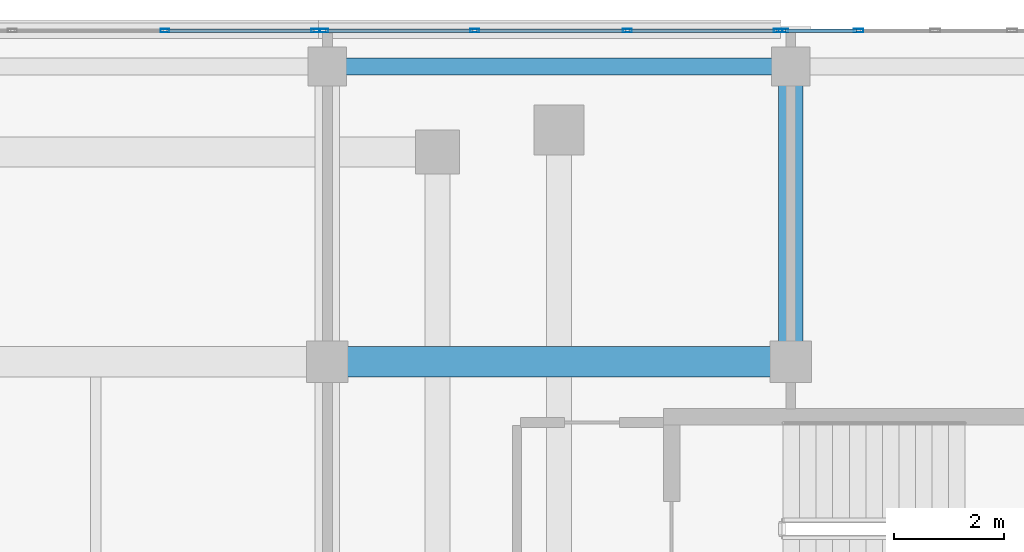
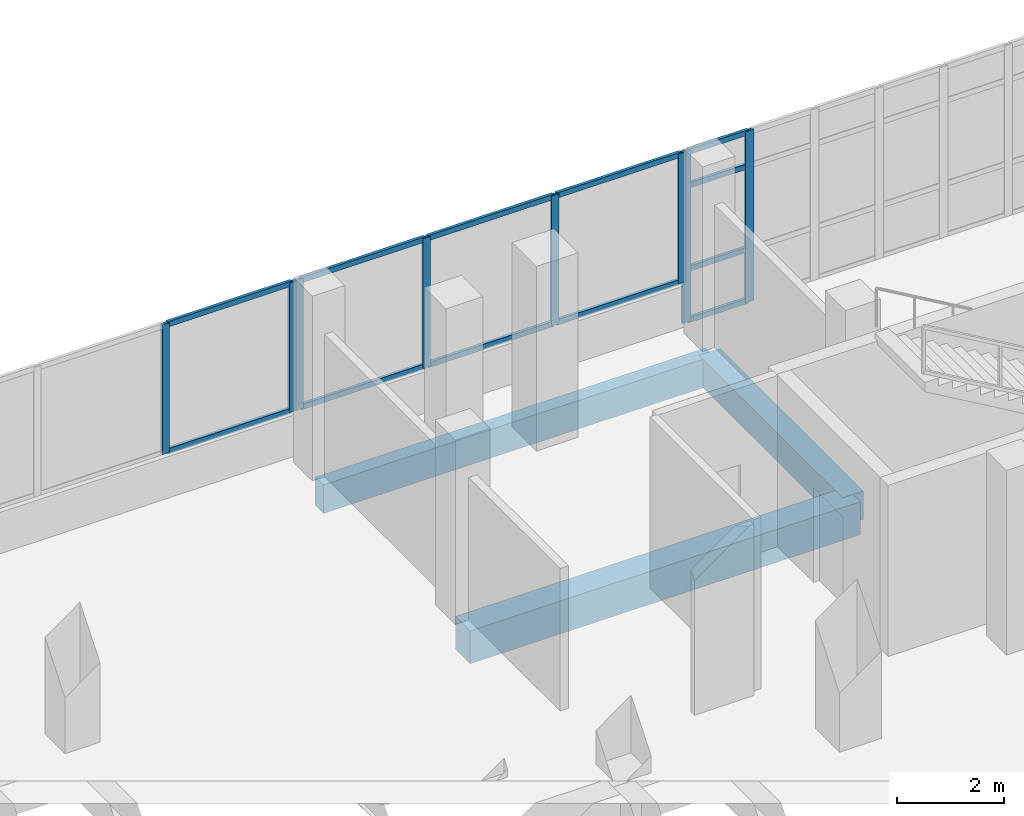
# One storey, part 110 of 184: 20 members, 3 beams, 3 elements without a shape of their own.
"""IFC4 building model written with IfcOpenShell, lengths in metres."""

from ifc_helpers import new_model, si_unit, direction, frame, origin, origin_2d, place, context, subcontext, project, spatial, rectangle, hollow_rectangle, extrude, material, material_profile, profile_set, type_object, element, aggregate, save


model = new_model("IFC4")

# Units and contexts
model_context = context("Model", 3, precision=1e-05, world=origin(), true_north=direction((0.0, 1.0)))
body_context = subcontext(model_context, "Body", "Model", "MODEL_VIEW")
ifc_project = project(units=[si_unit("LENGTHUNIT", "METRE"), si_unit("AREAUNIT", "SQUARE_METRE"), si_unit("VOLUMEUNIT", "CUBIC_METRE"), si_unit("PLANEANGLEUNIT", "RADIAN"), si_unit("MASSUNIT", "GRAM", prefix="KILO")], contexts=[model_context])

# Site, building, storey
site_placement = place(None, origin())
site = spatial("IfcSite", under=ifc_project, at=site_placement, CompositionType="ELEMENT")
building_placement = place(site_placement, origin())
building = spatial("IfcBuilding", under=site, at=building_placement, Name="Selatvlak General Hospital", CompositionType="ELEMENT")
storey_placement = place(building_placement, frame((0.0, 0.0, 15.0)))
storey = spatial("IfcBuildingStorey", under=building, at=storey_placement, Name="L03", CompositionType="ELEMENT", Elevation=15.0)

# Beams
ifc_material_1 = material(Name="Concrete C40/50", Category="concrete")
ifc_material_profile_1 = material_profile(ifc_material_1, rectangle(XDim=0.550048828125, YDim=0.75, at=origin_2d()), Name="RC-BM 550x750")
ifc_profile_set_1 = profile_set([ifc_material_profile_1], Name="Concrete C40/50")
beam_type_1 = type_object("IfcBeamType", Name="BM-G02", PredefinedType="BEAM", material=ifc_profile_set_1)
beam_1_placement = place(storey_placement, frame((81.60009765625, 114.0, -0.715087890625), z_axis=(1.0, 0.0, 0.0), x_axis=(0.0, 1.0, 0.0)))
element("IfcBeam", 1, at=beam_1_placement, inside=storey, type_object=beam_type_1, Name="Beam BMR-L03-1268", PredefinedType="BEAM", context=body_context, shape_type="SweptSolid", body=[
    extrude(rectangle(XDim=0.550048828125, YDim=0.75, at=origin_2d()), origin(), (0.0, 0.0, 1.0), 8.39990234375),
])
ifc_material_profile_2 = material_profile(ifc_material_1, rectangle(XDim=0.449951171875, YDim=0.64990234375, at=origin_2d()), Name="RC-BM 450x650")
ifc_profile_set_2 = profile_set([ifc_material_profile_2], Name="Concrete C40/50")
beam_type_2 = type_object("IfcBeamType", Name="BM-G04", PredefinedType="BEAM", material=ifc_profile_set_2)
beam_2_placement = place(storey_placement, frame((90.0, 114.0, -0.6650390625), z_axis=(0.0, 1.0, 0.0), x_axis=(-1.0, 0.0, 0.0)))
element("IfcBeam", 2, at=beam_2_placement, inside=storey, type_object=beam_type_2, Name="Beam BMR-L03-1344", PredefinedType="BEAM", context=body_context, shape_type="SweptSolid", body=[
    extrude(rectangle(XDim=0.449951171875, YDim=0.64990234375, at=origin_2d()), origin(), (0.0, 0.0, 1.0), 5.35009765625),
])
ifc_material_profile_3 = material_profile(ifc_material_1, rectangle(XDim=0.300048828125, YDim=0.64990234375, at=origin_2d()), Name="RC-SP 300x650")
ifc_profile_set_3 = profile_set([ifc_material_profile_3], Name="Concrete C40/50")
beam_type_3 = type_object("IfcBeamType", Name="BM-SP1", PredefinedType="SPANDREL", material=ifc_profile_set_3)
beam_3_placement = place(storey_placement, frame((81.60009765625, 119.35009765625, -0.6650390625), z_axis=(1.0, 0.0, 0.0), x_axis=(0.0, 1.0, 0.0)))
element("IfcBeam", 3, at=beam_3_placement, inside=storey, type_object=beam_type_3, Name="Beam BMR-L03-1281", PredefinedType="SPANDREL", context=body_context, shape_type="SweptSolid", body=[
    extrude(rectangle(XDim=0.300048828125, YDim=0.64990234375, at=origin_2d()), origin(), (0.0, 0.0, 1.0), 8.39990234375),
])

# Curtain wall, members
ifc_material_2 = material(Name="Solar-control Low-E double glazing", Category="glass")
curtain_wall_type_1 = type_object("IfcCurtainWallType", Name="CW-CW-02", PredefinedType="USERDEFINED", material=ifc_material_2)
curtain_wall_1_placement = place(storey_placement, origin())
curtain_wall_1 = element("IfcCurtainWall", 4, at=curtain_wall_1_placement, inside=storey, type_object=curtain_wall_type_1, Name="Glazed facade curtain wall CW-L03-0371", ObjectType="UNITISED CURTAIN WALL", PredefinedType="USERDEFINED")
ifc_material_3 = material(Name="Dark anodised aluminium mullion", Category="aluminium")
ifc_material_profile_4 = material_profile(ifc_material_3, hollow_rectangle(XDim=0.06494140625, YDim=0.159912109375, WallThickness=0.00390625, at=origin_2d()), Name="AL-MUL 65x160x4")
ifc_profile_set_4 = profile_set([ifc_material_profile_4], Name="Dark anodised aluminium mullion")
member_type_1 = type_object("IfcMemberType", Name="CWM-01", PredefinedType="MULLION", material=ifc_profile_set_4)
member_1_placement = place(storey_placement, frame((78.658447265625, 119.9990234375, 0.93994140625), z_axis=(0.0, 0.0, 1.0), x_axis=(0.0, 1.0, 0.0)))
member_1 = element("IfcMember", 5, at=member_1_placement, type_object=member_type_1, Name="CW-02 mullion 3", PredefinedType="MULLION", context=body_context, shape_type="SweptSolid", body=[
    extrude(hollow_rectangle(XDim=0.06494140625, YDim=0.159912109375, WallThickness=0.00390625, at=origin_2d()), origin(), (0.0, 0.0, 1.0), 2.955078125),
])
member_2_placement = place(storey_placement, frame((81.392578125, 119.9990234375, 0.93994140625), z_axis=(0.0, 0.0, 1.0), x_axis=(0.0, 1.0, 0.0)))
member_2 = element("IfcMember", 6, at=member_2_placement, type_object=member_type_1, Name="CW-02 mullion 4", PredefinedType="MULLION", context=body_context, shape_type="SweptSolid", body=[
    extrude(hollow_rectangle(XDim=0.06494140625, YDim=0.159912109375, WallThickness=0.00390625, at=origin_2d()), origin(), (0.0, 0.0, 1.0), 2.955078125),
])

curtain_wall_type_2 = type_object("IfcCurtainWallType", Name="CW-CW-01", PredefinedType="USERDEFINED", material=ifc_material_2)
curtain_wall_2_placement = place(storey_placement, origin())
curtain_wall_2 = element("IfcCurtainWall", 7, at=curtain_wall_2_placement, inside=storey, type_object=curtain_wall_type_2, Name="Glazed facade curtain wall CW-L03-0372", ObjectType="UNITISED CURTAIN WALL", PredefinedType="USERDEFINED")
member_3_placement = place(storey_placement, frame((81.53759765625, 119.9990234375, 0.93994140625), z_axis=(0.0, 0.0, 1.0), x_axis=(0.0, 1.0, 0.0)))
member_3 = element("IfcMember", 8, at=member_3_placement, type_object=member_type_1, Name="CW-01 mullion 1", PredefinedType="MULLION", context=body_context, shape_type="SweptSolid", body=[
    extrude(hollow_rectangle(XDim=0.06494140625, YDim=0.159912109375, WallThickness=0.00390625, at=origin_2d()), origin(), (0.0, 0.0, 1.0), 2.955078125),
])
member_4_placement = place(storey_placement, frame((84.271728515625, 119.9990234375, 0.93994140625), z_axis=(0.0, 0.0, 1.0), x_axis=(0.0, 1.0, 0.0)))
member_4 = element("IfcMember", 9, at=member_4_placement, type_object=member_type_1, Name="CW-01 mullion 2", PredefinedType="MULLION", context=body_context, shape_type="SweptSolid", body=[
    extrude(hollow_rectangle(XDim=0.06494140625, YDim=0.159912109375, WallThickness=0.00390625, at=origin_2d()), origin(), (0.0, 0.0, 1.0), 2.955078125),
])
member_5_placement = place(storey_placement, frame((87.038330078125, 119.9990234375, 0.93994140625), z_axis=(0.0, 0.0, 1.0), x_axis=(0.0, 1.0, 0.0)))
member_5 = element("IfcMember", 10, at=member_5_placement, type_object=member_type_1, Name="CW-01 mullion 3", PredefinedType="MULLION", context=body_context, shape_type="SweptSolid", body=[
    extrude(hollow_rectangle(XDim=0.06494140625, YDim=0.159912109375, WallThickness=0.00390625, at=origin_2d()), origin(), (0.0, 0.0, 1.0), 2.955078125),
])
member_6_placement = place(storey_placement, frame((89.7724609375, 119.9990234375, 0.93994140625), z_axis=(0.0, 0.0, 1.0), x_axis=(0.0, 1.0, 0.0)))
member_6 = element("IfcMember", 11, at=member_6_placement, type_object=member_type_1, Name="CW-01 mullion 4", PredefinedType="MULLION", context=body_context, shape_type="SweptSolid", body=[
    extrude(hollow_rectangle(XDim=0.06494140625, YDim=0.159912109375, WallThickness=0.00390625, at=origin_2d()), origin(), (0.0, 0.0, 1.0), 2.955078125),
])

curtain_wall_type_3 = type_object("IfcCurtainWallType", Name="CW-CW-04", PredefinedType="USERDEFINED", material=ifc_material_2)
curtain_wall_3_placement = place(storey_placement, origin())
curtain_wall_3 = element("IfcCurtainWall", 12, at=curtain_wall_3_placement, inside=storey, type_object=curtain_wall_type_3, Name="Glazed facade curtain wall CW-L03-0373", ObjectType="STICK GLAZING WALL", PredefinedType="USERDEFINED")
ifc_material_profile_5 = material_profile(ifc_material_3, hollow_rectangle(XDim=0.06494140625, YDim=0.179931640625, WallThickness=0.00439453125, at=origin_2d()), Name="AL-MUL 65x180x4.5")
ifc_profile_set_5 = profile_set([ifc_material_profile_5], Name="Dark anodised aluminium mullion")
member_type_2 = type_object("IfcMemberType", Name="CWM-02", PredefinedType="MULLION", material=ifc_profile_set_5)
member_7_placement = place(storey_placement, frame((89.867431640625, 119.9990234375, 0.0), z_axis=(0.0, 0.0, 1.0), x_axis=(0.0, 1.0, 0.0)))
member_7 = element("IfcMember", 13, at=member_7_placement, type_object=member_type_2, Name="CW-04 mullion 1", PredefinedType="MULLION", context=body_context, shape_type="SweptSolid", body=[
    extrude(hollow_rectangle(XDim=0.06494140625, YDim=0.179931640625, WallThickness=0.00439453125, at=origin_2d()), origin(), (0.0, 0.0, 1.0), 3.89501953125),
])
member_8_placement = place(storey_placement, frame((91.2265625, 119.9990234375, 0.0), z_axis=(0.0, 0.0, 1.0), x_axis=(0.0, 1.0, 0.0)))
member_8 = element("IfcMember", 14, at=member_8_placement, type_object=member_type_2, Name="CW-04 mullion 2", PredefinedType="MULLION", context=body_context, shape_type="SweptSolid", body=[
    extrude(hollow_rectangle(XDim=0.06494140625, YDim=0.179931640625, WallThickness=0.00439453125, at=origin_2d()), origin(), (0.0, 0.0, 1.0), 3.89501953125),
])

# Member
ifc_material_profile_6 = material_profile(ifc_material_3, hollow_rectangle(XDim=0.06494140625, YDim=0.1201171875, WallThickness=0.00390625, at=origin_2d()), Name="AL-TRN 65x120x4")
ifc_profile_set_6 = profile_set([ifc_material_profile_6], Name="Dark anodised aluminium mullion")
member_type_3 = type_object("IfcMemberType", Name="CWT-01", PredefinedType="USERDEFINED", material=ifc_profile_set_6)
member_9_placement = place(storey_placement, frame((78.69091796875, 119.9990234375, 0.972412109375), z_axis=(1.0, 0.0, 0.0), x_axis=(0.0, 1.0, 0.0)))
member_9 = element("IfcMember", 15, at=member_9_placement, type_object=member_type_3, Name="CW-02 transom 3.1", ObjectType="TRANSOM", PredefinedType="USERDEFINED", context=body_context, shape_type="SweptSolid", body=[
    extrude(hollow_rectangle(XDim=0.06494140625, YDim=0.1201171875, WallThickness=0.00390625, at=origin_2d()), origin(), (0.0, 0.0, 1.0), 2.669189453125),
])

member_10_placement = place(storey_placement, frame((78.69091796875, 119.9990234375, 3.862548828125), z_axis=(1.0, 0.0, 0.0), x_axis=(0.0, 1.0, 0.0)))
member_10 = element("IfcMember", 16, at=member_10_placement, type_object=member_type_3, Name="CW-02 transom 3.2", ObjectType="TRANSOM", PredefinedType="USERDEFINED", context=body_context, shape_type="SweptSolid", body=[
    extrude(hollow_rectangle(XDim=0.06494140625, YDim=0.1201171875, WallThickness=0.00390625, at=origin_2d()), origin(), (0.0, 0.0, 1.0), 2.669189453125),
])

aggregate(curtain_wall_1, [member_1, member_2, member_9, member_10])

member_11_placement = place(storey_placement, frame((81.570068359375, 119.9990234375, 0.972412109375), z_axis=(1.0, 0.0, 0.0), x_axis=(0.0, 1.0, 0.0)))
member_11 = element("IfcMember", 17, at=member_11_placement, type_object=member_type_3, Name="CW-01 transom 1.1", ObjectType="TRANSOM", PredefinedType="USERDEFINED", context=body_context, shape_type="SweptSolid", body=[
    extrude(hollow_rectangle(XDim=0.06494140625, YDim=0.1201171875, WallThickness=0.00390625, at=origin_2d()), origin(), (0.0, 0.0, 1.0), 2.669189453125),
])

member_12_placement = place(storey_placement, frame((81.570068359375, 119.9990234375, 3.862548828125), z_axis=(1.0, 0.0, 0.0), x_axis=(0.0, 1.0, 0.0)))
member_12 = element("IfcMember", 18, at=member_12_placement, type_object=member_type_3, Name="CW-01 transom 1.2", ObjectType="TRANSOM", PredefinedType="USERDEFINED", context=body_context, shape_type="SweptSolid", body=[
    extrude(hollow_rectangle(XDim=0.06494140625, YDim=0.1201171875, WallThickness=0.00390625, at=origin_2d()), origin(), (0.0, 0.0, 1.0), 2.669189453125),
])

member_13_placement = place(storey_placement, frame((84.30419921875, 119.9990234375, 0.972412109375), z_axis=(1.0, 0.0, 0.0), x_axis=(0.0, 1.0, 0.0)))
member_13 = element("IfcMember", 19, at=member_13_placement, type_object=member_type_3, Name="CW-01 transom 2.1", ObjectType="TRANSOM", PredefinedType="USERDEFINED", context=body_context, shape_type="SweptSolid", body=[
    extrude(hollow_rectangle(XDim=0.06494140625, YDim=0.1201171875, WallThickness=0.00390625, at=origin_2d()), origin(), (0.0, 0.0, 1.0), 2.70166015625),
])

member_14_placement = place(storey_placement, frame((84.30419921875, 119.9990234375, 3.862548828125), z_axis=(1.0, 0.0, 0.0), x_axis=(0.0, 1.0, 0.0)))
member_14 = element("IfcMember", 20, at=member_14_placement, type_object=member_type_3, Name="CW-01 transom 2.2", ObjectType="TRANSOM", PredefinedType="USERDEFINED", context=body_context, shape_type="SweptSolid", body=[
    extrude(hollow_rectangle(XDim=0.06494140625, YDim=0.1201171875, WallThickness=0.00390625, at=origin_2d()), origin(), (0.0, 0.0, 1.0), 2.70166015625),
])

member_15_placement = place(storey_placement, frame((87.07080078125, 119.9990234375, 0.972412109375), z_axis=(1.0, 0.0, 0.0), x_axis=(0.0, 1.0, 0.0)))
member_15 = element("IfcMember", 21, at=member_15_placement, type_object=member_type_3, Name="CW-01 transom 3.1", ObjectType="TRANSOM", PredefinedType="USERDEFINED", context=body_context, shape_type="SweptSolid", body=[
    extrude(hollow_rectangle(XDim=0.06494140625, YDim=0.1201171875, WallThickness=0.00390625, at=origin_2d()), origin(), (0.0, 0.0, 1.0), 2.669189453125),
])

member_16_placement = place(storey_placement, frame((87.07080078125, 119.9990234375, 3.862548828125), z_axis=(1.0, 0.0, 0.0), x_axis=(0.0, 1.0, 0.0)))
member_16 = element("IfcMember", 22, at=member_16_placement, type_object=member_type_3, Name="CW-01 transom 3.2", ObjectType="TRANSOM", PredefinedType="USERDEFINED", context=body_context, shape_type="SweptSolid", body=[
    extrude(hollow_rectangle(XDim=0.06494140625, YDim=0.1201171875, WallThickness=0.00390625, at=origin_2d()), origin(), (0.0, 0.0, 1.0), 2.669189453125),
])

aggregate(curtain_wall_2, [member_3, member_4, member_5, member_6, member_11, member_12, member_13, member_14, member_15, member_16])

member_17_placement = place(storey_placement, frame((89.89990234375, 119.9990234375, 0.032470703125), z_axis=(1.0, 0.0, 0.0), x_axis=(0.0, 1.0, 0.0)))
member_17 = element("IfcMember", 23, at=member_17_placement, type_object=member_type_3, Name="CW-04 transom 1.1", ObjectType="TRANSOM", PredefinedType="USERDEFINED", context=body_context, shape_type="SweptSolid", body=[
    extrude(hollow_rectangle(XDim=0.06494140625, YDim=0.1201171875, WallThickness=0.00390625, at=origin_2d()), origin(), (0.0, 0.0, 1.0), 1.294189453125),
])

member_18_placement = place(storey_placement, frame((89.89990234375, 119.9990234375, 1.199951171875), z_axis=(1.0, 0.0, 0.0), x_axis=(0.0, 1.0, 0.0)))
member_18 = element("IfcMember", 24, at=member_18_placement, type_object=member_type_3, Name="CW-04 transom 1.2", ObjectType="TRANSOM", PredefinedType="USERDEFINED", context=body_context, shape_type="SweptSolid", body=[
    extrude(hollow_rectangle(XDim=0.06494140625, YDim=0.1201171875, WallThickness=0.00390625, at=origin_2d()), origin(), (0.0, 0.0, 1.0), 1.294189453125),
])

member_19_placement = place(storey_placement, frame((89.89990234375, 119.9990234375, 3.094970703125), z_axis=(1.0, 0.0, 0.0), x_axis=(0.0, 1.0, 0.0)))
member_19 = element("IfcMember", 25, at=member_19_placement, type_object=member_type_3, Name="CW-04 transom 1.3", ObjectType="TRANSOM", PredefinedType="USERDEFINED", context=body_context, shape_type="SweptSolid", body=[
    extrude(hollow_rectangle(XDim=0.06494140625, YDim=0.1201171875, WallThickness=0.00390625, at=origin_2d()), origin(), (0.0, 0.0, 1.0), 1.294189453125),
])

member_20_placement = place(storey_placement, frame((89.89990234375, 119.9990234375, 3.862548828125), z_axis=(1.0, 0.0, 0.0), x_axis=(0.0, 1.0, 0.0)))
member_20 = element("IfcMember", 26, at=member_20_placement, type_object=member_type_3, Name="CW-04 transom 1.4", ObjectType="TRANSOM", PredefinedType="USERDEFINED", context=body_context, shape_type="SweptSolid", body=[
    extrude(hollow_rectangle(XDim=0.06494140625, YDim=0.1201171875, WallThickness=0.00390625, at=origin_2d()), origin(), (0.0, 0.0, 1.0), 1.294189453125),
])

aggregate(curtain_wall_3, [member_7, member_8, member_17, member_18, member_19, member_20])

save(model, "model.ifc")
